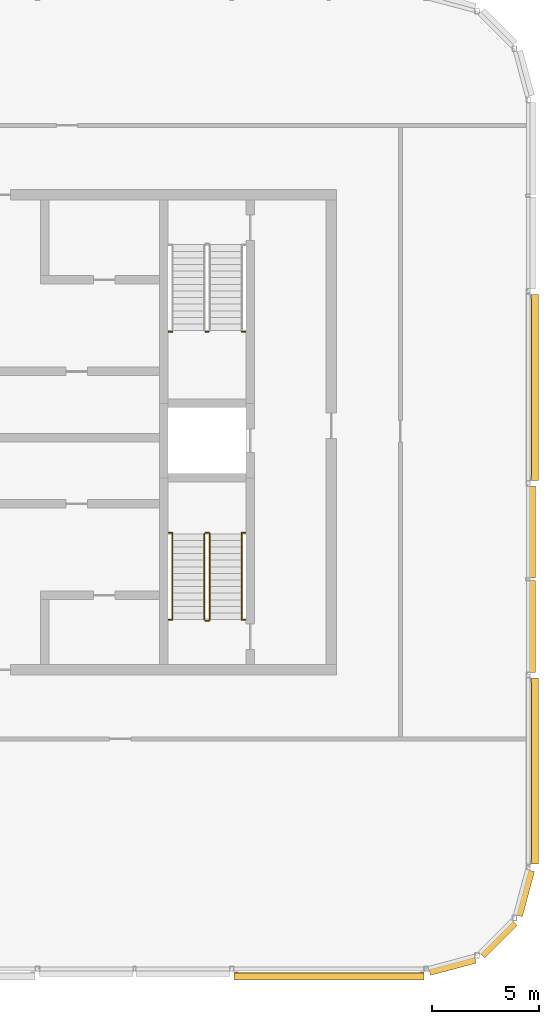
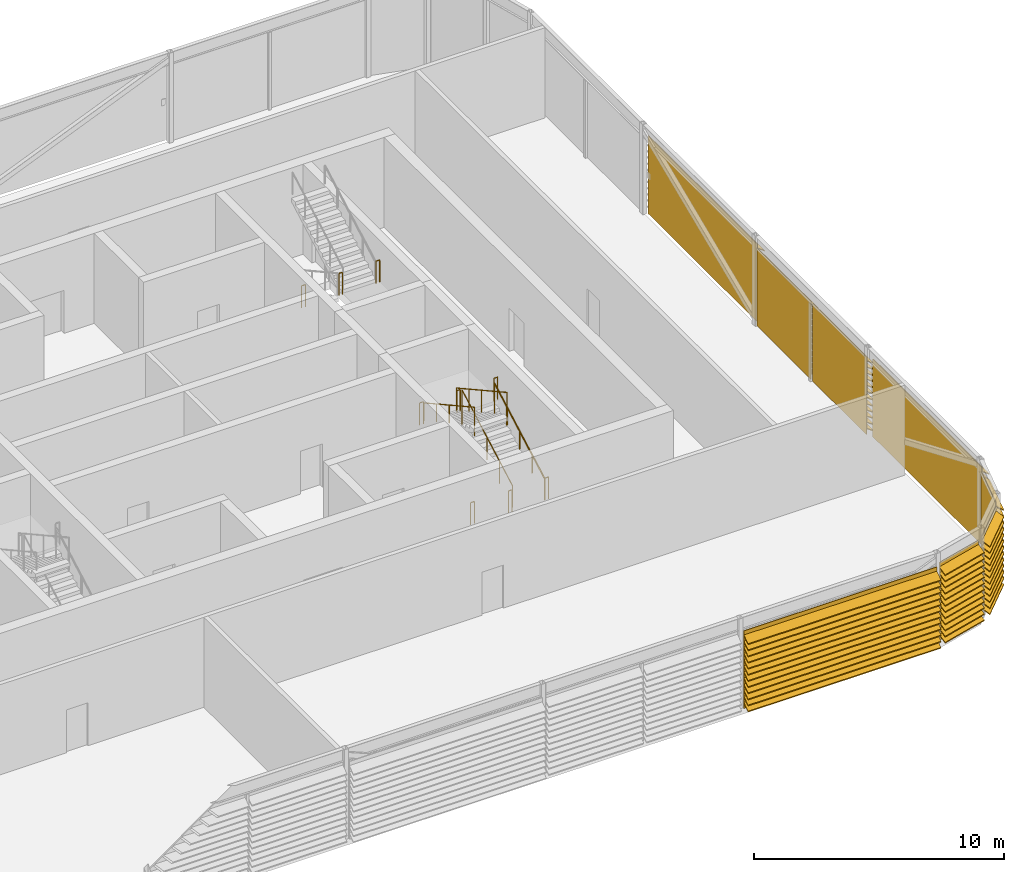
# One storey, part 25 of 27: 13 railings, 8 shading devices.
"""IFC4 building model written with IfcOpenShell, lengths in metres."""

from ifc_helpers import new_model, si_unit, direction, frame, origin, origin_2d, place, context, subcontext, project, spatial, polyline, circle, outline, extrude, material, type_object, element, save


model = new_model("IFC4")

# Units and contexts
model_context = context("Model", 3, precision=1e-05, world=origin(), true_north=direction((0.0, 1.0)))
body_context = subcontext(model_context, "Body", "Model", "MODEL_VIEW")
ifc_project = project(units=[si_unit("LENGTHUNIT", "METRE"), si_unit("AREAUNIT", "SQUARE_METRE"), si_unit("VOLUMEUNIT", "CUBIC_METRE"), si_unit("PLANEANGLEUNIT", "RADIAN"), si_unit("MASSUNIT", "GRAM", prefix="KILO")], contexts=[model_context])

# Site, building, storey
site_placement = place(None, origin())
site = spatial("IfcSite", under=ifc_project, at=site_placement, CompositionType="ELEMENT")
building_placement = place(site_placement, origin())
building = spatial("IfcBuilding", under=site, at=building_placement, Name="Madar Terraces", CompositionType="ELEMENT")
storey_placement = place(building_placement, frame((0.0, 0.0, 301.10009765625)))
storey = spatial("IfcBuildingStorey", under=building, at=storey_placement, Name="L78", CompositionType="ELEMENT", Elevation=301.10009765625)

# Shading devices
ifc_material_1 = material(Name="Aluminium, black anodised", Category="aluminium")
shading_device_type = type_object("IfcShadingDeviceType", Name="Crown louvre bank", PredefinedType="USERDEFINED", material=ifc_material_1)
shading_device_1_placement = place(storey_placement, frame((42.58154296875, 1.199951171875, 0.0), z_axis=(1.0, 0.0, 0.0), x_axis=(0.0, 1.0, 0.0)))
element("IfcShadingDevice", 1, at=shading_device_1_placement, inside=storey, type_object=shading_device_type, Name="LOUVRE bank L78 5.1", ObjectType="LOUVRE", PredefinedType="USERDEFINED", context=body_context, shape_type="SweptSolid", body=[
    extrude(outline(polyline([(-0.156982421875, 0.0), (-0.18701171875, 0.0), (-0.18701171875, 0.24951171875), (-0.5146484375, 0.02001953125), (-0.5146484375, 0.06884765625), (-0.18701171875, 0.29833984375), (-0.18701171875, 0.54931640625), (-0.5146484375, 0.320068359375), (-0.5146484375, 0.368896484375), (-0.18701171875, 0.59814453125), (-0.18701171875, 0.849365234375), (-0.5146484375, 0.6201171875), (-0.5146484375, 0.6689453125), (-0.18701171875, 0.898193359375), (-0.18701171875, 1.1494140625), (-0.5146484375, 0.919921875), (-0.5146484375, 0.96875), (-0.18701171875, 1.1982421875), (-0.18701171875, 1.449462890625), (-0.5146484375, 1.219970703125), (-0.5146484375, 1.268798828125), (-0.18701171875, 1.498291015625), (-0.18701171875, 1.74951171875), (-0.5146484375, 1.52001953125), (-0.5146484375, 1.56884765625), (-0.18701171875, 1.79833984375), (-0.18701171875, 2.04931640625), (-0.5146484375, 1.820068359375), (-0.5146484375, 1.868896484375), (-0.18701171875, 2.09814453125), (-0.18701171875, 2.349365234375), (-0.5146484375, 2.1201171875), (-0.5146484375, 2.1689453125), (-0.18701171875, 2.398193359375), (-0.18701171875, 2.6494140625), (-0.5146484375, 2.419921875), (-0.5146484375, 2.46875), (-0.18701171875, 2.6982421875), (-0.18701171875, 2.949462890625), (-0.5146484375, 2.719970703125), (-0.5146484375, 2.768798828125), (-0.18701171875, 2.998291015625), (-0.18701171875, 3.24951171875), (-0.5146484375, 3.02001953125), (-0.5146484375, 3.06884765625), (-0.18701171875, 3.29833984375), (-0.18701171875, 3.54931640625), (-0.5146484375, 3.320068359375), (-0.5146484375, 3.368896484375), (-0.18701171875, 3.59814453125), (-0.18701171875, 3.798095703125), (-0.156982421875, 3.798095703125), (-0.156982421875, 0.0)])), origin(), (0.0, 0.0, 1.0), 8.916748046875),
])
shading_device_2_placement = place(storey_placement, frame((51.7265625, 1.23388671875, 0.0), z_axis=(0.965935304808, 0.258783668197, 0.0), x_axis=(-0.258783668197, 0.965935304808, 0.0)))
element("IfcShadingDevice", 2, at=shading_device_2_placement, inside=storey, type_object=shading_device_type, Name="LOUVRE bank L78 6.1", ObjectType="LOUVRE", PredefinedType="USERDEFINED", context=body_context, shape_type="SweptSolid", body=[
    extrude(outline(polyline([(0.014892578125, 0.0), (-0.014892578125, 0.0), (-0.014892578125, 0.24951171875), (-0.3427734375, 0.02001953125), (-0.3427734375, 0.06884765625), (-0.014892578125, 0.29833984375), (-0.014892578125, 0.54931640625), (-0.3427734375, 0.320068359375), (-0.3427734375, 0.368896484375), (-0.014892578125, 0.59814453125), (-0.014892578125, 0.849365234375), (-0.3427734375, 0.6201171875), (-0.3427734375, 0.6689453125), (-0.014892578125, 0.898193359375), (-0.014892578125, 1.1494140625), (-0.3427734375, 0.919921875), (-0.3427734375, 0.96875), (-0.014892578125, 1.1982421875), (-0.014892578125, 1.449462890625), (-0.3427734375, 1.219970703125), (-0.3427734375, 1.268798828125), (-0.014892578125, 1.498291015625), (-0.014892578125, 1.74951171875), (-0.3427734375, 1.52001953125), (-0.3427734375, 1.56884765625), (-0.014892578125, 1.79833984375), (-0.014892578125, 2.04931640625), (-0.3427734375, 1.820068359375), (-0.3427734375, 1.868896484375), (-0.014892578125, 2.09814453125), (-0.014892578125, 2.349365234375), (-0.3427734375, 2.1201171875), (-0.3427734375, 2.1689453125), (-0.014892578125, 2.398193359375), (-0.014892578125, 2.6494140625), (-0.3427734375, 2.419921875), (-0.3427734375, 2.46875), (-0.014892578125, 2.6982421875), (-0.014892578125, 2.949462890625), (-0.3427734375, 2.719970703125), (-0.3427734375, 2.768798828125), (-0.014892578125, 2.998291015625), (-0.014892578125, 3.24951171875), (-0.3427734375, 3.02001953125), (-0.3427734375, 3.06884765625), (-0.014892578125, 3.29833984375), (-0.014892578125, 3.54931640625), (-0.3427734375, 3.320068359375), (-0.3427734375, 3.368896484375), (-0.014892578125, 3.59814453125), (-0.014892578125, 3.798095703125), (0.014892578125, 3.798095703125), (0.014892578125, 0.0)])), origin(), (0.0, 0.0, 1.0), 2.22265625),
])
shading_device_3_placement = place(storey_placement, frame((54.1142578125, 1.957275390625, 0.0), z_axis=(0.707106781187, 0.707106781187, 0.0), x_axis=(-0.707106781187, 0.707106781187, 0.0)))
element("IfcShadingDevice", 3, at=shading_device_3_placement, inside=storey, type_object=shading_device_type, Name="LOUVRE bank L78 7.1", ObjectType="LOUVRE", PredefinedType="USERDEFINED", context=body_context, shape_type="SweptSolid", body=[
    extrude(outline(polyline([(0.014892578125, 0.0), (-0.014892578125, 0.0), (-0.014892578125, 0.24951171875), (-0.3427734375, 0.02001953125), (-0.3427734375, 0.06884765625), (-0.014892578125, 0.29833984375), (-0.014892578125, 0.54931640625), (-0.3427734375, 0.320068359375), (-0.3427734375, 0.368896484375), (-0.014892578125, 0.59814453125), (-0.014892578125, 0.849365234375), (-0.3427734375, 0.6201171875), (-0.3427734375, 0.6689453125), (-0.014892578125, 0.898193359375), (-0.014892578125, 1.1494140625), (-0.3427734375, 0.919921875), (-0.3427734375, 0.96875), (-0.014892578125, 1.1982421875), (-0.014892578125, 1.449462890625), (-0.3427734375, 1.219970703125), (-0.3427734375, 1.268798828125), (-0.014892578125, 1.498291015625), (-0.014892578125, 1.74951171875), (-0.3427734375, 1.52001953125), (-0.3427734375, 1.56884765625), (-0.014892578125, 1.79833984375), (-0.014892578125, 2.04931640625), (-0.3427734375, 1.820068359375), (-0.3427734375, 1.868896484375), (-0.014892578125, 2.09814453125), (-0.014892578125, 2.349365234375), (-0.3427734375, 2.1201171875), (-0.3427734375, 2.1689453125), (-0.014892578125, 2.398193359375), (-0.014892578125, 2.6494140625), (-0.3427734375, 2.419921875), (-0.3427734375, 2.46875), (-0.014892578125, 2.6982421875), (-0.014892578125, 2.949462890625), (-0.3427734375, 2.719970703125), (-0.3427734375, 2.768798828125), (-0.014892578125, 2.998291015625), (-0.014892578125, 3.24951171875), (-0.3427734375, 3.02001953125), (-0.3427734375, 3.06884765625), (-0.014892578125, 3.29833984375), (-0.014892578125, 3.54931640625), (-0.3427734375, 3.320068359375), (-0.3427734375, 3.368896484375), (-0.014892578125, 3.59814453125), (-0.014892578125, 3.798095703125), (0.014892578125, 3.798095703125), (0.014892578125, 0.0)])), origin(), (0.0, 0.0, 1.0), 2.161376953125),
])
shading_device_4_placement = place(storey_placement, frame((55.79541015625, 3.743896484375, 0.0), z_axis=(0.258788169352, 0.965934098893, 0.0), x_axis=(-0.965934098893, 0.258788169352, 0.0)))
element("IfcShadingDevice", 4, at=shading_device_4_placement, inside=storey, type_object=shading_device_type, Name="LOUVRE bank L78 8.1", ObjectType="LOUVRE", PredefinedType="USERDEFINED", context=body_context, shape_type="SweptSolid", body=[
    extrude(outline(polyline([(0.014892578125, 0.0), (-0.014892578125, 0.0), (-0.014892578125, 0.24951171875), (-0.3427734375, 0.02001953125), (-0.3427734375, 0.06884765625), (-0.014892578125, 0.29833984375), (-0.014892578125, 0.54931640625), (-0.3427734375, 0.320068359375), (-0.3427734375, 0.368896484375), (-0.014892578125, 0.59814453125), (-0.014892578125, 0.849365234375), (-0.3427734375, 0.6201171875), (-0.3427734375, 0.6689453125), (-0.014892578125, 0.898193359375), (-0.014892578125, 1.1494140625), (-0.3427734375, 0.919921875), (-0.3427734375, 0.96875), (-0.014892578125, 1.1982421875), (-0.014892578125, 1.449462890625), (-0.3427734375, 1.219970703125), (-0.3427734375, 1.268798828125), (-0.014892578125, 1.498291015625), (-0.014892578125, 1.74951171875), (-0.3427734375, 1.52001953125), (-0.3427734375, 1.56884765625), (-0.014892578125, 1.79833984375), (-0.014892578125, 2.04931640625), (-0.3427734375, 1.820068359375), (-0.3427734375, 1.868896484375), (-0.014892578125, 2.09814453125), (-0.014892578125, 2.349365234375), (-0.3427734375, 2.1201171875), (-0.3427734375, 2.1689453125), (-0.014892578125, 2.398193359375), (-0.014892578125, 2.6494140625), (-0.3427734375, 2.419921875), (-0.3427734375, 2.46875), (-0.014892578125, 2.6982421875), (-0.014892578125, 2.949462890625), (-0.3427734375, 2.719970703125), (-0.3427734375, 2.768798828125), (-0.014892578125, 2.998291015625), (-0.014892578125, 3.24951171875), (-0.3427734375, 3.02001953125), (-0.3427734375, 3.06884765625), (-0.014892578125, 3.29833984375), (-0.014892578125, 3.54931640625), (-0.3427734375, 3.320068359375), (-0.3427734375, 3.368896484375), (-0.014892578125, 3.59814453125), (-0.014892578125, 3.798095703125), (0.014892578125, 3.798095703125), (0.014892578125, 0.0)])), origin(), (0.0, 0.0, 1.0), 2.186767578125),
])
shading_device_5_placement = place(storey_placement, frame((56.39990234375, 6.126953125, 0.0), z_axis=(0.0, 1.0, 0.0), x_axis=(-1.0, 0.0, 0.0)))
element("IfcShadingDevice", 5, at=shading_device_5_placement, inside=storey, type_object=shading_device_type, Name="LOUVRE bank L78 9.1", ObjectType="LOUVRE", PredefinedType="USERDEFINED", context=body_context, shape_type="SweptSolid", body=[
    extrude(outline(polyline([(-0.131591796875, 0.0), (-0.16162109375, 0.0), (-0.16162109375, 0.24951171875), (-0.4892578125, 0.02001953125), (-0.4892578125, 0.06884765625), (-0.16162109375, 0.29833984375), (-0.16162109375, 0.54931640625), (-0.4892578125, 0.320068359375), (-0.4892578125, 0.368896484375), (-0.16162109375, 0.59814453125), (-0.16162109375, 0.849365234375), (-0.4892578125, 0.6201171875), (-0.4892578125, 0.6689453125), (-0.16162109375, 0.898193359375), (-0.16162109375, 1.1494140625), (-0.4892578125, 0.919921875), (-0.4892578125, 0.96875), (-0.16162109375, 1.1982421875), (-0.16162109375, 1.449462890625), (-0.4892578125, 1.219970703125), (-0.4892578125, 1.268798828125), (-0.16162109375, 1.498291015625), (-0.16162109375, 1.74951171875), (-0.4892578125, 1.52001953125), (-0.4892578125, 1.56884765625), (-0.16162109375, 1.79833984375), (-0.16162109375, 2.04931640625), (-0.4892578125, 1.820068359375), (-0.4892578125, 1.868896484375), (-0.16162109375, 2.09814453125), (-0.16162109375, 2.349365234375), (-0.4892578125, 2.1201171875), (-0.4892578125, 2.1689453125), (-0.16162109375, 2.398193359375), (-0.16162109375, 2.6494140625), (-0.4892578125, 2.419921875), (-0.4892578125, 2.46875), (-0.16162109375, 2.6982421875), (-0.16162109375, 2.949462890625), (-0.4892578125, 2.719970703125), (-0.4892578125, 2.768798828125), (-0.16162109375, 2.998291015625), (-0.16162109375, 3.24951171875), (-0.4892578125, 3.02001953125), (-0.4892578125, 3.06884765625), (-0.16162109375, 3.29833984375), (-0.16162109375, 3.54931640625), (-0.4892578125, 3.320068359375), (-0.4892578125, 3.368896484375), (-0.16162109375, 3.59814453125), (-0.16162109375, 3.798095703125), (-0.131591796875, 3.798095703125), (-0.131591796875, 0.0)])), origin(), (0.0, 0.0, 1.0), 8.74609375),
])
shading_device_6_placement = place(storey_placement, frame((56.39990234375, 15.126953125, 0.0), z_axis=(0.0, 1.0, 0.0), x_axis=(-1.0, 0.0, 0.0)))
element("IfcShadingDevice", 6, at=shading_device_6_placement, inside=storey, type_object=shading_device_type, Name="LOUVRE bank L78 10.1", ObjectType="LOUVRE", PredefinedType="USERDEFINED", context=body_context, shape_type="SweptSolid", body=[
    extrude(outline(polyline([(0.014892578125, 0.0), (-0.014892578125, 0.0), (-0.014892578125, 0.24951171875), (-0.3427734375, 0.02001953125), (-0.3427734375, 0.06884765625), (-0.014892578125, 0.29833984375), (-0.014892578125, 0.54931640625), (-0.3427734375, 0.320068359375), (-0.3427734375, 0.368896484375), (-0.014892578125, 0.59814453125), (-0.014892578125, 0.849365234375), (-0.3427734375, 0.6201171875), (-0.3427734375, 0.6689453125), (-0.014892578125, 0.898193359375), (-0.014892578125, 1.1494140625), (-0.3427734375, 0.919921875), (-0.3427734375, 0.96875), (-0.014892578125, 1.1982421875), (-0.014892578125, 1.449462890625), (-0.3427734375, 1.219970703125), (-0.3427734375, 1.268798828125), (-0.014892578125, 1.498291015625), (-0.014892578125, 1.74951171875), (-0.3427734375, 1.52001953125), (-0.3427734375, 1.56884765625), (-0.014892578125, 1.79833984375), (-0.014892578125, 2.04931640625), (-0.3427734375, 1.820068359375), (-0.3427734375, 1.868896484375), (-0.014892578125, 2.09814453125), (-0.014892578125, 2.349365234375), (-0.3427734375, 2.1201171875), (-0.3427734375, 2.1689453125), (-0.014892578125, 2.398193359375), (-0.014892578125, 2.6494140625), (-0.3427734375, 2.419921875), (-0.3427734375, 2.46875), (-0.014892578125, 2.6982421875), (-0.014892578125, 2.949462890625), (-0.3427734375, 2.719970703125), (-0.3427734375, 2.768798828125), (-0.014892578125, 2.998291015625), (-0.014892578125, 3.24951171875), (-0.3427734375, 3.02001953125), (-0.3427734375, 3.06884765625), (-0.014892578125, 3.29833984375), (-0.014892578125, 3.54931640625), (-0.3427734375, 3.320068359375), (-0.3427734375, 3.368896484375), (-0.014892578125, 3.59814453125), (-0.014892578125, 3.798095703125), (0.014892578125, 3.798095703125), (0.014892578125, 0.0)])), origin(), (0.0, 0.0, 1.0), 4.3095703125),
])
shading_device_7_placement = place(storey_placement, frame((56.39990234375, 19.5634765625, 0.0), z_axis=(0.0, 1.0, 0.0), x_axis=(-1.0, 0.0, 0.0)))
element("IfcShadingDevice", 7, at=shading_device_7_placement, inside=storey, type_object=shading_device_type, Name="LOUVRE bank L78 10.2", ObjectType="LOUVRE", PredefinedType="USERDEFINED", context=body_context, shape_type="SweptSolid", body=[
    extrude(outline(polyline([(0.014892578125, 0.0), (-0.014892578125, 0.0), (-0.014892578125, 0.24951171875), (-0.3427734375, 0.02001953125), (-0.3427734375, 0.06884765625), (-0.014892578125, 0.29833984375), (-0.014892578125, 0.54931640625), (-0.3427734375, 0.320068359375), (-0.3427734375, 0.368896484375), (-0.014892578125, 0.59814453125), (-0.014892578125, 0.849365234375), (-0.3427734375, 0.6201171875), (-0.3427734375, 0.6689453125), (-0.014892578125, 0.898193359375), (-0.014892578125, 1.1494140625), (-0.3427734375, 0.919921875), (-0.3427734375, 0.96875), (-0.014892578125, 1.1982421875), (-0.014892578125, 1.449462890625), (-0.3427734375, 1.219970703125), (-0.3427734375, 1.268798828125), (-0.014892578125, 1.498291015625), (-0.014892578125, 1.74951171875), (-0.3427734375, 1.52001953125), (-0.3427734375, 1.56884765625), (-0.014892578125, 1.79833984375), (-0.014892578125, 2.04931640625), (-0.3427734375, 1.820068359375), (-0.3427734375, 1.868896484375), (-0.014892578125, 2.09814453125), (-0.014892578125, 2.349365234375), (-0.3427734375, 2.1201171875), (-0.3427734375, 2.1689453125), (-0.014892578125, 2.398193359375), (-0.014892578125, 2.6494140625), (-0.3427734375, 2.419921875), (-0.3427734375, 2.46875), (-0.014892578125, 2.6982421875), (-0.014892578125, 2.949462890625), (-0.3427734375, 2.719970703125), (-0.3427734375, 2.768798828125), (-0.014892578125, 2.998291015625), (-0.014892578125, 3.24951171875), (-0.3427734375, 3.02001953125), (-0.3427734375, 3.06884765625), (-0.014892578125, 3.29833984375), (-0.014892578125, 3.54931640625), (-0.3427734375, 3.320068359375), (-0.3427734375, 3.368896484375), (-0.014892578125, 3.59814453125), (-0.014892578125, 3.798095703125), (0.014892578125, 3.798095703125), (0.014892578125, 0.0)])), origin(), (0.0, 0.0, 1.0), 4.3095703125),
])
shading_device_8_placement = place(storey_placement, frame((56.39990234375, 24.126953125, 0.0), z_axis=(0.0, 1.0, 0.0), x_axis=(-1.0, 0.0, 0.0)))
element("IfcShadingDevice", 8, at=shading_device_8_placement, inside=storey, type_object=shading_device_type, Name="LOUVRE bank L78 11.1", ObjectType="LOUVRE", PredefinedType="USERDEFINED", context=body_context, shape_type="SweptSolid", body=[
    extrude(outline(polyline([(-0.131591796875, 0.0), (-0.16162109375, 0.0), (-0.16162109375, 0.24951171875), (-0.4892578125, 0.02001953125), (-0.4892578125, 0.06884765625), (-0.16162109375, 0.29833984375), (-0.16162109375, 0.54931640625), (-0.4892578125, 0.320068359375), (-0.4892578125, 0.368896484375), (-0.16162109375, 0.59814453125), (-0.16162109375, 0.849365234375), (-0.4892578125, 0.6201171875), (-0.4892578125, 0.6689453125), (-0.16162109375, 0.898193359375), (-0.16162109375, 1.1494140625), (-0.4892578125, 0.919921875), (-0.4892578125, 0.96875), (-0.16162109375, 1.1982421875), (-0.16162109375, 1.449462890625), (-0.4892578125, 1.219970703125), (-0.4892578125, 1.268798828125), (-0.16162109375, 1.498291015625), (-0.16162109375, 1.74951171875), (-0.4892578125, 1.52001953125), (-0.4892578125, 1.56884765625), (-0.16162109375, 1.79833984375), (-0.16162109375, 2.04931640625), (-0.4892578125, 1.820068359375), (-0.4892578125, 1.868896484375), (-0.16162109375, 2.09814453125), (-0.16162109375, 2.349365234375), (-0.4892578125, 2.1201171875), (-0.4892578125, 2.1689453125), (-0.16162109375, 2.398193359375), (-0.16162109375, 2.6494140625), (-0.4892578125, 2.419921875), (-0.4892578125, 2.46875), (-0.16162109375, 2.6982421875), (-0.16162109375, 2.949462890625), (-0.4892578125, 2.719970703125), (-0.4892578125, 2.768798828125), (-0.16162109375, 2.998291015625), (-0.16162109375, 3.24951171875), (-0.4892578125, 3.02001953125), (-0.4892578125, 3.06884765625), (-0.16162109375, 3.29833984375), (-0.16162109375, 3.54931640625), (-0.4892578125, 3.320068359375), (-0.4892578125, 3.368896484375), (-0.16162109375, 3.59814453125), (-0.16162109375, 3.798095703125), (-0.131591796875, 3.798095703125), (-0.131591796875, 0.0)])), origin(), (0.0, 0.0, 1.0), 8.74609375),
])

# Railings
ifc_material_2 = material(Name="Stainless steel railing", Category="steel")
railing_type_1 = type_object("IfcRailingType", Name="Stair guard 1100", PredefinedType="GUARDRAIL", material=ifc_material_2)
railing_1_placement = place(storey_placement, frame((41.25, 31.1201171875, 2.39990234375)))
element("IfcRailing", 9, at=railing_1_placement, inside=storey, type_object=railing_type_1, Name="L78 ST2 stair guard 2", PredefinedType="GUARDRAIL", context=body_context, shape_type="SweptSolid", body=[
    extrude(circle(Radius=0.02392578125, at=origin_2d()), frame((0.0, 0.0, 1.076171875), z_axis=(1.0, 0.0, 0.0), x_axis=(0.0, 1.0, 0.0)), (0.0, 0.0, 1.0), 0.14990234375),
    extrude(circle(Radius=0.02099609375, at=origin_2d()), origin(), (0.0, 0.0, 1.0), 1.052001953125),
    extrude(circle(Radius=0.02099609375, at=origin_2d()), frame((0.14990234375, 0.0, 0.0)), (0.0, 0.0, 1.0), 1.052001953125),
])
railing_2_placement = place(storey_placement, frame((41.449951171875, 17.60009765625, 0.17138671875)))
element("IfcRailing", 10, at=railing_2_placement, inside=storey, type_object=railing_type_1, Name="L78 ST3 stair guard 1", PredefinedType="GUARDRAIL", context=body_context, shape_type="SweptSolid", body=[
    extrude(circle(Radius=0.02392578125, at=origin_2d()), frame((0.0, 0.0, 1.076171875), z_axis=(0.0, 0.875100925707, 0.483940461035), x_axis=(-1.0, 0.0, 0.0)), (0.0, 0.0, 1.0), 4.60498046875),
    extrude(circle(Radius=0.02099609375, at=origin_2d()), origin(), (0.0, 0.0, 1.0), 1.052001953125),
    extrude(circle(Radius=0.02099609375, at=origin_2d()), frame((0.0, 1.00732421875, 0.55712890625)), (0.0, 0.0, 1.0), 1.052001953125),
    extrude(circle(Radius=0.02099609375, at=origin_2d()), frame((0.0, 2.014892578125, 1.1142578125)), (0.0, 0.0, 1.0), 1.052001953125),
    extrude(circle(Radius=0.02099609375, at=origin_2d()), frame((0.0, 3.0224609375, 1.67138671875)), (0.0, 0.0, 1.0), 1.052001953125),
    extrude(circle(Radius=0.02099609375, at=origin_2d()), frame((0.0, 4.02978515625, 2.228515625)), (0.0, 0.0, 1.0), 1.052001953125),
])
railing_3_placement = place(storey_placement, frame((41.39990234375, 21.679931640625, 2.39990234375)))
element("IfcRailing", 11, at=railing_3_placement, inside=storey, type_object=railing_type_1, Name="L78 ST3 stair guard 2", PredefinedType="GUARDRAIL", context=body_context, shape_type="SweptSolid", body=[
    extrude(circle(Radius=0.02392578125, at=origin_2d()), frame((0.0, 0.0, 1.076171875), z_axis=(-1.0, 0.0, 0.0), x_axis=(0.0, -1.0, 0.0)), (0.0, 0.0, 1.0), 0.14990234375),
    extrude(circle(Radius=0.02099609375, at=origin_2d()), origin(), (0.0, 0.0, 1.0), 1.052001953125),
    extrude(circle(Radius=0.02099609375, at=origin_2d()), frame((-0.14990234375, 0.0, 0.0)), (0.0, 0.0, 1.0), 1.052001953125),
])
railing_4_placement = place(storey_placement, frame((41.199951171875, 21.6298828125, 2.5712890625)))
element("IfcRailing", 12, at=railing_4_placement, inside=storey, type_object=railing_type_1, Name="L78 ST3 stair guard 3", PredefinedType="GUARDRAIL", context=body_context, shape_type="SweptSolid", body=[
    extrude(circle(Radius=0.02392578125, at=origin_2d()), frame((0.0, 0.0, 1.076171875), z_axis=(0.0, -0.875100925707, 0.483940461035), x_axis=(1.0, 0.0, 0.0)), (0.0, 0.0, 1.0), 4.60498046875),
    extrude(circle(Radius=0.02099609375, at=origin_2d()), origin(), (0.0, 0.0, 1.0), 1.052001953125),
    extrude(circle(Radius=0.02099609375, at=origin_2d()), frame((0.0, -1.00732421875, 0.55712890625)), (0.0, 0.0, 1.0), 1.052001953125),
    extrude(circle(Radius=0.02099609375, at=origin_2d()), frame((0.0, -2.014892578125, 1.1142578125)), (0.0, 0.0, 1.0), 1.052001953125),
    extrude(circle(Radius=0.02099609375, at=origin_2d()), frame((0.0, -3.0224609375, 1.67138671875)), (0.0, 0.0, 1.0), 1.052001953125),
    extrude(circle(Radius=0.02099609375, at=origin_2d()), frame((0.0, -4.02978515625, 2.228515625)), (0.0, 0.0, 1.0), 1.052001953125),
])
railing_5_placement = place(storey_placement, frame((41.39990234375, 17.550048828125, 0.0)))
element("IfcRailing", 13, at=railing_5_placement, inside=storey, type_object=railing_type_1, Name="L78 ST3 stair guard 4", PredefinedType="GUARDRAIL", context=body_context, shape_type="SweptSolid", body=[
    extrude(circle(Radius=0.02392578125, at=origin_2d()), frame((0.0, 0.0, 1.076171875), z_axis=(-1.0, 0.0, 0.0), x_axis=(0.0, -1.0, 0.0)), (0.0, 0.0, 1.0), 0.14990234375),
    extrude(circle(Radius=0.02099609375, at=origin_2d()), origin(), (0.0, 0.0, 1.0), 1.052001953125),
    extrude(circle(Radius=0.02099609375, at=origin_2d()), frame((-0.14990234375, 0.0, 0.0)), (0.0, 0.0, 1.0), 1.052001953125),
])
for number, where, name in (
    (14, (39.52001953125, 31.1201171875, 2.39990234375), "L78 stair guard seat 1"),
    (15, (42.949951171875, 31.1201171875, 2.39990234375), "L78 stair guard seat 2"),
    (16, (39.52001953125, 21.679931640625, 2.39990234375), "L78 stair guard seat 1"),
    (17, (42.949951171875, 21.679931640625, 2.39990234375), "L78 stair guard seat 2"),
    (18, (39.52001953125, 17.60009765625, 0.0), "L78 stair guard floor 1"),
    (19, (42.949951171875, 17.60009765625, 0.0), "L78 stair guard floor 2"),
):
    element("IfcRailing", number, at=place(storey_placement, frame(where)), inside=storey, type_object=railing_type_1, Name=name, PredefinedType="GUARDRAIL", context=body_context, shape_type="SweptSolid", body=[
        extrude(circle(Radius=0.02392578125, at=origin_2d()), frame((0.0, 0.0, 1.076171875), z_axis=(1.0, 0.0, 0.0), x_axis=(0.0, 1.0, 0.0)), (0.0, 0.0, 1.0), 0.179931640625),
        extrude(circle(Radius=0.02099609375, at=origin_2d()), origin(), (0.0, 0.0, 1.0), 1.052001953125),
        extrude(circle(Radius=0.02099609375, at=origin_2d()), frame((0.179931640625, 0.0, 0.0)), (0.0, 0.0, 1.0), 1.052001953125),
    ])
ifc_material_3 = material(Name="Stainless steel railing", Category="steel")
railing_type_2 = type_object("IfcRailingType", Name="Stair handrail 900", PredefinedType="HANDRAIL", material=ifc_material_3)
railing_6_placement = place(storey_placement, frame((42.949951171875, 17.60009765625, 0.17138671875)))
element("IfcRailing", 20, at=railing_6_placement, inside=storey, type_object=railing_type_2, Name="L78 ST3 stair handrail 1", PredefinedType="HANDRAIL", context=body_context, shape_type="SweptSolid", body=[
    extrude(circle(Radius=0.02392578125, at=origin_2d()), frame((0.0, 0.0, 0.8759765625), z_axis=(0.0, 0.875100925707, 0.483940461035), x_axis=(-1.0, 0.0, 0.0)), (0.0, 0.0, 1.0), 4.60498046875),
    extrude(circle(Radius=0.02099609375, at=origin_2d()), origin(), (0.0, 0.0, 1.0), 0.851806640625),
    extrude(circle(Radius=0.02099609375, at=origin_2d()), frame((0.0, 1.00732421875, 0.55712890625)), (0.0, 0.0, 1.0), 0.851806640625),
    extrude(circle(Radius=0.02099609375, at=origin_2d()), frame((0.0, 2.014892578125, 1.1142578125)), (0.0, 0.0, 1.0), 0.851806640625),
    extrude(circle(Radius=0.02099609375, at=origin_2d()), frame((0.0, 3.0224609375, 1.67138671875)), (0.0, 0.0, 1.0), 0.851806640625),
    extrude(circle(Radius=0.02099609375, at=origin_2d()), frame((0.0, 4.02978515625, 2.228515625)), (0.0, 0.0, 1.0), 0.851806640625),
])
railing_7_placement = place(storey_placement, frame((39.699951171875, 21.6298828125, 2.5712890625)))
element("IfcRailing", 21, at=railing_7_placement, inside=storey, type_object=railing_type_2, Name="L78 ST3 stair handrail 2", PredefinedType="HANDRAIL", context=body_context, shape_type="SweptSolid", body=[
    extrude(circle(Radius=0.02392578125, at=origin_2d()), frame((0.0, 0.0, 0.8759765625), z_axis=(0.0, -0.875100925707, 0.483940461035), x_axis=(1.0, 0.0, 0.0)), (0.0, 0.0, 1.0), 4.60498046875),
    extrude(circle(Radius=0.02099609375, at=origin_2d()), origin(), (0.0, 0.0, 1.0), 0.851806640625),
    extrude(circle(Radius=0.02099609375, at=origin_2d()), frame((0.0, -1.00732421875, 0.55712890625)), (0.0, 0.0, 1.0), 0.851806640625),
    extrude(circle(Radius=0.02099609375, at=origin_2d()), frame((0.0, -2.014892578125, 1.1142578125)), (0.0, 0.0, 1.0), 0.851806640625),
    extrude(circle(Radius=0.02099609375, at=origin_2d()), frame((0.0, -3.0224609375, 1.67138671875)), (0.0, 0.0, 1.0), 0.851806640625),
    extrude(circle(Radius=0.02099609375, at=origin_2d()), frame((0.0, -4.02978515625, 2.228515625)), (0.0, 0.0, 1.0), 0.851806640625),
])

save(model, "model.ifc")
